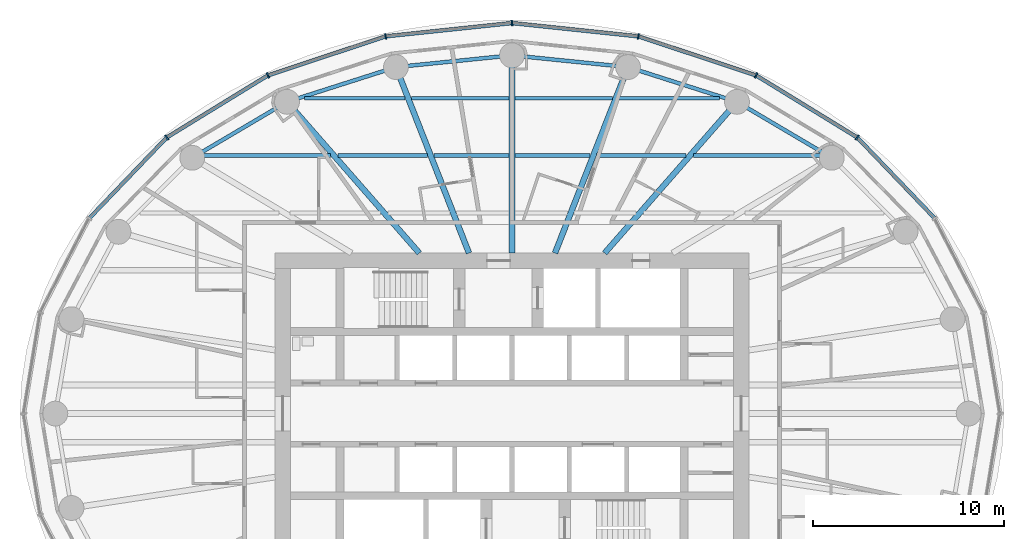
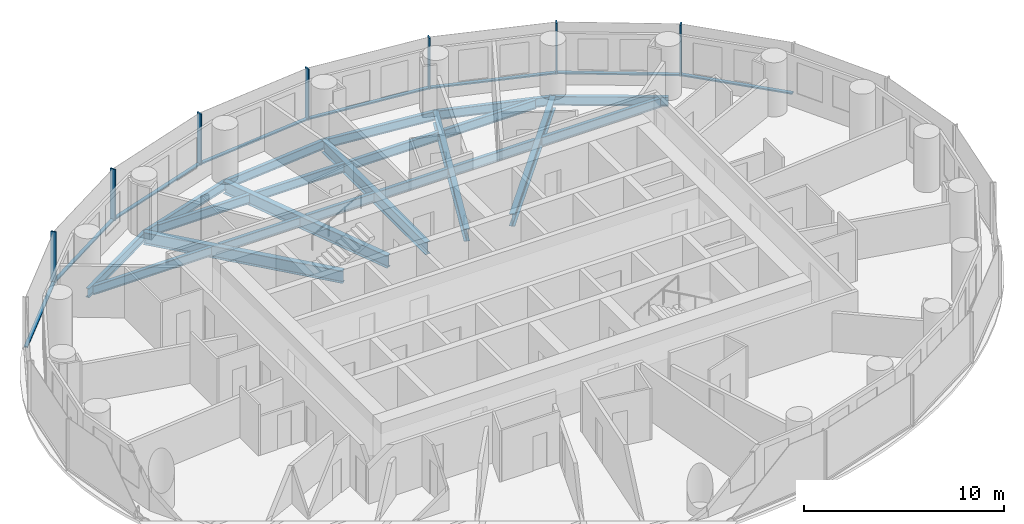
# One storey, part 4 of 14: 21 beams, 15 members, 2 elements without a shape of their own.
"""IFC4 building model written with IfcOpenShell, lengths in metres."""

from ifc_helpers import new_model, si_unit, direction, frame, origin, origin_2d, place, context, subcontext, project, spatial, rectangle, i_section, extrude, material, material_profile, profile_set, type_object, element, aggregate, save


model = new_model("IFC4")

# Units and contexts
model_context = context("Model", 3, precision=1e-05, world=origin(), true_north=direction((0.0, 1.0)))
body_context = subcontext(model_context, "Body", "Model", "MODEL_VIEW")
ifc_project = project(units=[si_unit("LENGTHUNIT", "METRE"), si_unit("AREAUNIT", "SQUARE_METRE"), si_unit("VOLUMEUNIT", "CUBIC_METRE"), si_unit("PLANEANGLEUNIT", "RADIAN"), si_unit("MASSUNIT", "GRAM", prefix="KILO")], contexts=[model_context])

# Site, building, storey
site_placement = place(None, origin())
site = spatial("IfcSite", under=ifc_project, at=site_placement, CompositionType="ELEMENT")
building_placement = place(site_placement, origin())
building = spatial("IfcBuilding", under=site, at=building_placement, Name="Hankou Lantern Tower", CompositionType="ELEMENT")
storey_placement = place(building_placement, frame((0.0, 0.0, 115.5)))
storey = spatial("IfcBuildingStorey", under=building, at=storey_placement, Name="L29", CompositionType="ELEMENT", Elevation=115.5)

# Beams
ifc_material_1 = material(Name="Steel Q355B", Category="steel")
ifc_material_profile_1 = material_profile(ifc_material_1, i_section(OverallWidth=0.199951171875, OverallDepth=0.550048828125, WebThickness=0.010009765625, FlangeThickness=0.01611328125, FilletRadius=0.012939453125, at=origin_2d()), Name="HN550x200x10x16")
ifc_profile_set_1 = profile_set([ifc_material_profile_1], Name="Steel Q355B")
beam_type_1 = type_object("IfcBeamType", Name="EB6 RING BEAM HN550x200x10x16", PredefinedType="SPANDREL", material=ifc_profile_set_1)
beam_1_placement = place(storey_placement, frame((16.73388671875, 13.38720703125, -0.455078125), z_axis=(-0.860988974188, 0.508623619513, 0.0), x_axis=(-0.508623619513, -0.860988974188, 0.0)))
element("IfcBeam", 1, at=beam_1_placement, inside=storey, type_object=beam_type_1, Name="Ring beam R04-R05 L29", PredefinedType="SPANDREL", context=body_context, shape_type="SweptSolid", body=[
    extrude(i_section(OverallWidth=0.199951171875, OverallDepth=0.550048828125, WebThickness=0.010009765625, FlangeThickness=0.01611328125, FilletRadius=0.012939453125, at=origin_2d()), origin(), (0.0, 0.0, 1.0), 5.759033203125),
])
beam_2_placement = place(storey_placement, frame((11.775390625, 16.31640625, -0.455078125), z_axis=(-0.952731090451, 0.303814860215, 0.0), x_axis=(-0.303814860215, -0.952731090451, 0.0)))
element("IfcBeam", 2, at=beam_2_placement, inside=storey, type_object=beam_type_1, Name="Ring beam R05-R06 L29", PredefinedType="SPANDREL", context=body_context, shape_type="SweptSolid", body=[
    extrude(i_section(OverallWidth=0.199951171875, OverallDepth=0.550048828125, WebThickness=0.010009765625, FlangeThickness=0.01611328125, FilletRadius=0.012939453125, at=origin_2d()), origin(), (0.0, 0.0, 1.0), 5.984375),
])
for number, where, z_axis, x_axis, name in (
    (3, (6.073974609375, 18.134521484375, -0.455078125), (-0.994905271594, 0.100814188259, 0.0), (-0.100814188259, -0.994905271594, 0.0), "Ring beam R06-R07 L29"),
    (4, (0.0, 18.75, -0.455078125), (-0.994905271594, -0.100814188259, 0.0), (0.100814188259, -0.994905271594, 0.0), "Ring beam R07-R08 L29"),
):
    element("IfcBeam", number, at=place(storey_placement, frame(where, z_axis=z_axis, x_axis=x_axis)), inside=storey, type_object=beam_type_1, Name=name, PredefinedType="SPANDREL", context=body_context, shape_type="SweptSolid", body=[
        extrude(i_section(OverallWidth=0.199951171875, OverallDepth=0.550048828125, WebThickness=0.010009765625, FlangeThickness=0.01611328125, FilletRadius=0.012939453125, at=origin_2d()), origin(), (0.0, 0.0, 1.0), 6.10498046875),
    ])
beam_3_placement = place(storey_placement, frame((-6.073974609375, 18.134521484375, -0.455078125), z_axis=(-0.952731090451, -0.303814860215, 0.0), x_axis=(0.303814860215, -0.952731090451, 0.0)))
element("IfcBeam", 5, at=beam_3_placement, inside=storey, type_object=beam_type_1, Name="Ring beam R08-R09 L29", PredefinedType="SPANDREL", context=body_context, shape_type="SweptSolid", body=[
    extrude(i_section(OverallWidth=0.199951171875, OverallDepth=0.550048828125, WebThickness=0.010009765625, FlangeThickness=0.01611328125, FilletRadius=0.012939453125, at=origin_2d()), origin(), (0.0, 0.0, 1.0), 5.984375),
])
beam_4_placement = place(storey_placement, frame((-11.775390625, 16.31640625, -0.455078125), z_axis=(-0.860988974188, -0.508623619513, 0.0), x_axis=(0.508623619513, -0.860988974188, 0.0)))
element("IfcBeam", 6, at=beam_4_placement, inside=storey, type_object=beam_type_1, Name="Ring beam R09-R10 L29", PredefinedType="SPANDREL", context=body_context, shape_type="SweptSolid", body=[
    extrude(i_section(OverallWidth=0.199951171875, OverallDepth=0.550048828125, WebThickness=0.010009765625, FlangeThickness=0.01611328125, FilletRadius=0.012939453125, at=origin_2d()), origin(), (0.0, 0.0, 1.0), 5.759033203125),
])

# Curtain wall, members
ifc_material_2 = material(Name="Glass, dark grey tinted laminated", Category="glass")
curtain_wall_type = type_object("IfcCurtainWallType", Name="CWB OUTER SKIN MID-RISE", PredefinedType="USERDEFINED", material=ifc_material_2)
curtain_wall_1_placement = place(storey_placement, origin())
curtain_wall_1 = element("IfcCurtainWall", 7, at=curtain_wall_1_placement, inside=storey, type_object=curtain_wall_type, Name="CWB L29 OS1", ObjectType="OUTER SKIN MID-RISE", PredefinedType="USERDEFINED")
ifc_material_3 = material(Name="Aluminium, black anodised", Category="aluminium")
ifc_material_profile_2 = material_profile(ifc_material_3, rectangle(XDim=0.080078125, YDim=0.300048828125, at=origin_2d()), Name="MU1 80X300")
ifc_profile_set_2 = profile_set([ifc_material_profile_2], Name="Aluminium, black anodised")
member_type_1 = type_object("IfcMemberType", Name="MU1 OUTER SKIN MULLION 80X300", PredefinedType="MULLION", material=ifc_profile_set_2)
member_1_placement = place(storey_placement, frame((18.066650390625, 14.453369140625, 0.0), z_axis=(0.0, 0.0, 1.0), x_axis=(-0.780868809444, 0.624695047553, 0.0)))
member_1 = element("IfcMember", 8, at=member_1_placement, type_object=member_type_1, Name="CWB mullion 4", PredefinedType="MULLION", context=body_context, shape_type="SweptSolid", body=[
    extrude(rectangle(XDim=0.080078125, YDim=0.300048828125, at=origin_2d()), origin(), (0.0, 0.0, 1.0), 3.1201171875),
])
member_2_placement = place(storey_placement, frame((12.77490234375, 17.70166015625, 0.0), z_axis=(0.0, 0.0, 1.0), x_axis=(-0.907841299004, 0.419313934686, 0.0)))
member_2 = element("IfcMember", 9, at=member_2_placement, type_object=member_type_1, Name="CWB mullion 5", PredefinedType="MULLION", context=body_context, shape_type="SweptSolid", body=[
    extrude(rectangle(XDim=0.080078125, YDim=0.300048828125, at=origin_2d()), origin(), (0.0, 0.0, 1.0), 3.1201171875),
])
member_3_placement = place(storey_placement, frame((6.61279296875, 19.743408203125, 0.0), z_axis=(0.0, 0.0, 1.0), x_axis=(-0.977787659625, 0.209597931016, 0.0)))
member_3 = element("IfcMember", 10, at=member_3_placement, type_object=member_type_1, Name="CWB mullion 6", PredefinedType="MULLION", context=body_context, shape_type="SweptSolid", body=[
    extrude(rectangle(XDim=0.080078125, YDim=0.300048828125, at=origin_2d()), origin(), (0.0, 0.0, 1.0), 3.1201171875),
])

curtain_wall_2_placement = place(storey_placement, origin())
curtain_wall_2 = element("IfcCurtainWall", 11, at=curtain_wall_2_placement, inside=storey, type_object=curtain_wall_type, Name="CWB L29 OS2", ObjectType="OUTER SKIN MID-RISE", PredefinedType="USERDEFINED")
member_4_placement = place(storey_placement, frame((0.0, 20.43994140625, 0.0), z_axis=(0.0, 0.0, 1.0), x_axis=(-0.994499359107, -0.104742659579, 0.0)))
member_4 = element("IfcMember", 12, at=member_4_placement, type_object=member_type_1, Name="CWB mullion 1", PredefinedType="MULLION", context=body_context, shape_type="SweptSolid", body=[
    extrude(rectangle(XDim=0.080078125, YDim=0.300048828125, at=origin_2d()), origin(), (0.0, 0.0, 1.0), 3.1201171875),
])
member_5_placement = place(storey_placement, frame((-6.61279296875, 19.743408203125, 0.0), z_axis=(0.0, 0.0, 1.0), x_axis=(-0.977787659625, -0.209597931016, 0.0)))
member_5 = element("IfcMember", 13, at=member_5_placement, type_object=member_type_1, Name="CWB mullion 2", PredefinedType="MULLION", context=body_context, shape_type="SweptSolid", body=[
    extrude(rectangle(XDim=0.080078125, YDim=0.300048828125, at=origin_2d()), origin(), (0.0, 0.0, 1.0), 3.1201171875),
])
member_6_placement = place(storey_placement, frame((-12.77490234375, 17.70166015625, 0.0), z_axis=(0.0, 0.0, 1.0), x_axis=(-0.907841299004, -0.419313934686, 0.0)))
member_6 = element("IfcMember", 14, at=member_6_placement, type_object=member_type_1, Name="CWB mullion 3", PredefinedType="MULLION", context=body_context, shape_type="SweptSolid", body=[
    extrude(rectangle(XDim=0.080078125, YDim=0.300048828125, at=origin_2d()), origin(), (0.0, 0.0, 1.0), 3.1201171875),
])
member_7_placement = place(storey_placement, frame((-18.066650390625, 14.453369140625, 0.0), z_axis=(0.0, 0.0, 1.0), x_axis=(-0.780868809444, -0.624695047553, 0.0)))
member_7 = element("IfcMember", 15, at=member_7_placement, type_object=member_type_1, Name="CWB mullion 4", PredefinedType="MULLION", context=body_context, shape_type="SweptSolid", body=[
    extrude(rectangle(XDim=0.080078125, YDim=0.300048828125, at=origin_2d()), origin(), (0.0, 0.0, 1.0), 3.1201171875),
])

# Beams
ifc_material_4 = material(Name="Steel Q355B", Category="steel")
ifc_material_profile_3 = material_profile(ifc_material_4, i_section(OverallWidth=0.300048828125, OverallDepth=0.75, WebThickness=0.012939453125, FlangeThickness=0.02392578125, FilletRadius=0.01806640625, at=origin_2d()), Name="HN750x300x13x24")
ifc_profile_set_3 = profile_set([ifc_material_profile_3], Name="Steel Q355B")
beam_type_2 = type_object("IfcBeamType", Name="RB10 RADIAL BEAM HN750x300x13x24", PredefinedType="BEAM", material=ifc_profile_set_3)
beam_5_placement = place(storey_placement, frame((4.849853515625, 8.39990234375, -0.554931640625), z_axis=(0.658429014446, 0.752642832249, 0.0), x_axis=(-0.752642832249, 0.658429014446, 0.0)))
element("IfcBeam", 16, at=beam_5_placement, inside=storey, type_object=beam_type_2, Name="Radial beam R05 L29", PredefinedType="BEAM", context=body_context, shape_type="SweptSolid", body=[
    extrude(i_section(OverallWidth=0.300048828125, OverallDepth=0.75, WebThickness=0.012939453125, FlangeThickness=0.02392578125, FilletRadius=0.01806640625, at=origin_2d()), origin(), (0.0, 0.0, 1.0), 10.518310546875),
])
beam_6_placement = place(storey_placement, frame((2.250732421875, 8.39990234375, -0.554931640625), z_axis=(0.365563535437, 0.930786388791, 0.0), x_axis=(-0.930786388791, 0.365563535437, 0.0)))
element("IfcBeam", 17, at=beam_6_placement, inside=storey, type_object=beam_type_2, Name="Radial beam R06 L29", PredefinedType="BEAM", context=body_context, shape_type="SweptSolid", body=[
    extrude(i_section(OverallWidth=0.300048828125, OverallDepth=0.75, WebThickness=0.012939453125, FlangeThickness=0.02392578125, FilletRadius=0.01806640625, at=origin_2d()), origin(), (0.0, 0.0, 1.0), 10.45849609375),
])
beam_7_placement = place(storey_placement, frame((0.0, 8.39990234375, -0.554931640625), z_axis=(0.0, 1.0, 0.0), x_axis=(-1.0, 0.0, 0.0)))
element("IfcBeam", 18, at=beam_7_placement, inside=storey, type_object=beam_type_2, Name="Radial beam R07 L29", PredefinedType="BEAM", context=body_context, shape_type="SweptSolid", body=[
    extrude(i_section(OverallWidth=0.300048828125, OverallDepth=0.75, WebThickness=0.012939453125, FlangeThickness=0.02392578125, FilletRadius=0.01806640625, at=origin_2d()), origin(), (0.0, 0.0, 1.0), 10.35009765625),
])
beam_8_placement = place(storey_placement, frame((-2.250732421875, 8.39990234375, -0.554931640625), z_axis=(-0.365563535437, 0.930786388791, 0.0), x_axis=(-0.930786388791, -0.365563535437, 0.0)))
element("IfcBeam", 19, at=beam_8_placement, inside=storey, type_object=beam_type_2, Name="Radial beam R08 L29", PredefinedType="BEAM", context=body_context, shape_type="SweptSolid", body=[
    extrude(i_section(OverallWidth=0.300048828125, OverallDepth=0.75, WebThickness=0.012939453125, FlangeThickness=0.02392578125, FilletRadius=0.01806640625, at=origin_2d()), origin(), (0.0, 0.0, 1.0), 10.45849609375),
])
beam_9_placement = place(storey_placement, frame((-4.849853515625, 8.39990234375, -0.554931640625), z_axis=(-0.658429014446, 0.752642832249, 0.0), x_axis=(-0.752642832249, -0.658429014446, 0.0)))
element("IfcBeam", 20, at=beam_9_placement, inside=storey, type_object=beam_type_2, Name="Radial beam R09 L29", PredefinedType="BEAM", context=body_context, shape_type="SweptSolid", body=[
    extrude(i_section(OverallWidth=0.300048828125, OverallDepth=0.75, WebThickness=0.012939453125, FlangeThickness=0.02392578125, FilletRadius=0.01806640625, at=origin_2d()), origin(), (0.0, 0.0, 1.0), 10.518310546875),
])
ifc_material_5 = material(Name="Steel Q355B", Category="steel")
ifc_material_profile_4 = material_profile(ifc_material_5, i_section(OverallWidth=0.199951171875, OverallDepth=0.550048828125, WebThickness=0.010009765625, FlangeThickness=0.01611328125, FilletRadius=0.012939453125, at=origin_2d()), Name="HN550x200x10x16")
ifc_profile_set_4 = profile_set([ifc_material_profile_4], Name="Steel Q355B")
beam_type_3 = type_object("IfcBeamType", Name="SB6 SECONDARY BEAM HN550x200x10x16", PredefinedType="JOIST", material=ifc_profile_set_4)
beam_10_placement = place(storey_placement, frame((-16.34619140625, 13.5, -0.455078125), z_axis=(1.0, 0.0, 0.0), x_axis=(0.0, 1.0, 0.0)))
element("IfcBeam", 21, at=beam_10_placement, inside=storey, type_object=beam_type_3, Name="Floor joist J043 L29", PredefinedType="JOIST", context=body_context, shape_type="SweptSolid", body=[
    extrude(i_section(OverallWidth=0.199951171875, OverallDepth=0.550048828125, WebThickness=0.010009765625, FlangeThickness=0.01611328125, FilletRadius=0.012939453125, at=origin_2d()), origin(), (0.0, 0.0, 1.0), 6.83544921875),
])
beam_11_placement = place(storey_placement, frame((-9.112060546875, 13.5, -0.455078125), z_axis=(1.0, 0.0, 0.0), x_axis=(0.0, 1.0, 0.0)))
element("IfcBeam", 22, at=beam_11_placement, inside=storey, type_object=beam_type_3, Name="Floor joist J044 L29", PredefinedType="JOIST", context=body_context, shape_type="SweptSolid", body=[
    extrude(i_section(OverallWidth=0.199951171875, OverallDepth=0.550048828125, WebThickness=0.010009765625, FlangeThickness=0.01611328125, FilletRadius=0.012939453125, at=origin_2d()), origin(), (0.0, 0.0, 1.0), 4.697021484375),
])
for number, where, z_axis, x_axis, name in (
    (23, (-4.092529296875, 13.5, -0.455078125), (1.0, 0.0, 0.0), (0.0, 1.0, 0.0), "Floor joist J045 L29"),
    (24, (0.14990234375, 13.5, -0.455078125), (1.0, 0.0, 0.0), (0.0, 1.0, 0.0), "Floor joist J046 L29"),
):
    element("IfcBeam", number, at=place(storey_placement, frame(where, z_axis=z_axis, x_axis=x_axis)), inside=storey, type_object=beam_type_3, Name=name, PredefinedType="JOIST", context=body_context, shape_type="SweptSolid", body=[
        extrude(i_section(OverallWidth=0.199951171875, OverallDepth=0.550048828125, WebThickness=0.010009765625, FlangeThickness=0.01611328125, FilletRadius=0.012939453125, at=origin_2d()), origin(), (0.0, 0.0, 1.0), 3.942626953125),
    ])
beam_12_placement = place(storey_placement, frame((4.4150390625, 13.5, -0.455078125), z_axis=(1.0, 0.0, 0.0), x_axis=(0.0, 1.0, 0.0)))
element("IfcBeam", 25, at=beam_12_placement, inside=storey, type_object=beam_type_3, Name="Floor joist J047 L29", PredefinedType="JOIST", context=body_context, shape_type="SweptSolid", body=[
    extrude(i_section(OverallWidth=0.199951171875, OverallDepth=0.550048828125, WebThickness=0.010009765625, FlangeThickness=0.01611328125, FilletRadius=0.012939453125, at=origin_2d()), origin(), (0.0, 0.0, 1.0), 4.697021484375),
])
beam_13_placement = place(storey_placement, frame((9.5107421875, 13.5, -0.455078125), z_axis=(1.0, 0.0, 0.0), x_axis=(0.0, 1.0, 0.0)))
element("IfcBeam", 26, at=beam_13_placement, inside=storey, type_object=beam_type_3, Name="Floor joist J048 L29", PredefinedType="JOIST", context=body_context, shape_type="SweptSolid", body=[
    extrude(i_section(OverallWidth=0.199951171875, OverallDepth=0.550048828125, WebThickness=0.010009765625, FlangeThickness=0.01611328125, FilletRadius=0.012939453125, at=origin_2d()), origin(), (0.0, 0.0, 1.0), 6.83544921875),
])
beam_14_placement = place(storey_placement, frame((-10.8701171875, 16.5, -0.455078125), z_axis=(1.0, 0.0, 0.0), x_axis=(0.0, 1.0, 0.0)))
element("IfcBeam", 27, at=beam_14_placement, inside=storey, type_object=beam_type_3, Name="Floor joist J049 L29", PredefinedType="JOIST", context=body_context, shape_type="SweptSolid", body=[
    extrude(i_section(OverallWidth=0.199951171875, OverallDepth=0.550048828125, WebThickness=0.010009765625, FlangeThickness=0.01611328125, FilletRadius=0.012939453125, at=origin_2d()), origin(), (0.0, 0.0, 1.0), 5.27685546875),
])
for number, where, z_axis, x_axis, name in (
    (28, (-5.270751953125, 16.5, -0.455078125), (1.0, 0.0, 0.0), (0.0, 1.0, 0.0), "Floor joist J050 L29"),
    (29, (0.14990234375, 16.5, -0.455078125), (1.0, 0.0, 0.0), (0.0, 1.0, 0.0), "Floor joist J051 L29"),
):
    element("IfcBeam", number, at=place(storey_placement, frame(where, z_axis=z_axis, x_axis=x_axis)), inside=storey, type_object=beam_type_3, Name=name, PredefinedType="JOIST", context=body_context, shape_type="SweptSolid", body=[
        extrude(i_section(OverallWidth=0.199951171875, OverallDepth=0.550048828125, WebThickness=0.010009765625, FlangeThickness=0.01611328125, FilletRadius=0.012939453125, at=origin_2d()), origin(), (0.0, 0.0, 1.0), 5.120849609375),
    ])
beam_15_placement = place(storey_placement, frame((5.59326171875, 16.5, -0.455078125), z_axis=(1.0, 0.0, 0.0), x_axis=(0.0, 1.0, 0.0)))
element("IfcBeam", 30, at=beam_15_placement, inside=storey, type_object=beam_type_3, Name="Floor joist J052 L29", PredefinedType="JOIST", context=body_context, shape_type="SweptSolid", body=[
    extrude(i_section(OverallWidth=0.199951171875, OverallDepth=0.550048828125, WebThickness=0.010009765625, FlangeThickness=0.01611328125, FilletRadius=0.012939453125, at=origin_2d()), origin(), (0.0, 0.0, 1.0), 5.27685546875),
])

# Member
ifc_material_6 = material(Name="Aluminium, black anodised", Category="aluminium")
ifc_material_profile_5 = material_profile(ifc_material_6, rectangle(XDim=0.199951171875, YDim=0.080078125, at=origin_2d()), Name="TR1 200X80")
ifc_profile_set_5 = profile_set([ifc_material_profile_5], Name="Aluminium, black anodised")
member_type_2 = type_object("IfcMemberType", Name="TR1 OUTER SKIN TRANSOM 200X80", PredefinedType="USERDEFINED", material=ifc_profile_set_5)
member_8_placement = place(storey_placement, frame((22.099365234375, 10.248779296875, 0.0400390625), z_axis=(-0.692226977748, 0.721679853729, 0.0), x_axis=(-0.721679853729, -0.692226977748, 0.0)))
member_8 = element("IfcMember", 31, at=member_8_placement, type_object=member_type_2, Name="CWB transom 3", ObjectType="TRANSOM", PredefinedType="USERDEFINED", context=body_context, shape_type="SweptSolid", body=[
    extrude(rectangle(XDim=0.199951171875, YDim=0.080078125, at=origin_2d()), origin(), (0.0, 0.0, 1.0), 5.785888671875),
])

member_9_placement = place(storey_placement, frame((18.032470703125, 14.47412109375, 0.0400390625), z_axis=(-0.852229492169, 0.523168130411, 0.0), x_axis=(-0.523168130411, -0.852229492169, 0.0)))
member_9 = element("IfcMember", 32, at=member_9_placement, type_object=member_type_2, Name="CWB transom 4", ObjectType="TRANSOM", PredefinedType="USERDEFINED", context=body_context, shape_type="SweptSolid", body=[
    extrude(rectangle(XDim=0.199951171875, YDim=0.080078125, at=origin_2d()), origin(), (0.0, 0.0, 1.0), 6.129150390625),
])

member_10_placement = place(storey_placement, frame((12.737060546875, 17.714111328125, 0.0400390625), z_axis=(-0.949237765745, 0.314559476225, 0.0), x_axis=(-0.314559476225, -0.949237765745, 0.0)))
member_10 = element("IfcMember", 33, at=member_10_placement, type_object=member_type_2, Name="CWB transom 5", ObjectType="TRANSOM", PredefinedType="USERDEFINED", context=body_context, shape_type="SweptSolid", body=[
    extrude(rectangle(XDim=0.199951171875, YDim=0.080078125, at=origin_2d()), origin(), (0.0, 0.0, 1.0), 6.41162109375),
])

member_11_placement = place(storey_placement, frame((6.572998046875, 19.747802734375, 0.0400390625), z_axis=(-0.994500972001, 0.10472734451, 0.0), x_axis=(-0.10472734451, -0.994500972001, 0.0)))
member_11 = element("IfcMember", 34, at=member_11_placement, type_object=member_type_2, Name="CWB transom 6", ObjectType="TRANSOM", PredefinedType="USERDEFINED", context=body_context, shape_type="SweptSolid", body=[
    extrude(rectangle(XDim=0.199951171875, YDim=0.080078125, at=origin_2d()), origin(), (0.0, 0.0, 1.0), 6.5693359375),
])

aggregate(curtain_wall_1, [member_1, member_2, member_3, member_8, member_9, member_10, member_11])

member_12_placement = place(storey_placement, frame((-0.039794921875, 20.435791015625, 0.0400390625), z_axis=(-0.994500972001, -0.10472734451, 0.0), x_axis=(0.10472734451, -0.994500972001, 0.0)))
member_12 = element("IfcMember", 35, at=member_12_placement, type_object=member_type_2, Name="CWB transom 1", ObjectType="TRANSOM", PredefinedType="USERDEFINED", context=body_context, shape_type="SweptSolid", body=[
    extrude(rectangle(XDim=0.199951171875, YDim=0.080078125, at=origin_2d()), origin(), (0.0, 0.0, 1.0), 6.5693359375),
])

member_13_placement = place(storey_placement, frame((-6.65087890625, 19.73095703125, 0.0400390625), z_axis=(-0.949237765745, -0.314559476225, 0.0), x_axis=(0.314559476225, -0.949237765745, 0.0)))
member_13 = element("IfcMember", 36, at=member_13_placement, type_object=member_type_2, Name="CWB transom 2", ObjectType="TRANSOM", PredefinedType="USERDEFINED", context=body_context, shape_type="SweptSolid", body=[
    extrude(rectangle(XDim=0.199951171875, YDim=0.080078125, at=origin_2d()), origin(), (0.0, 0.0, 1.0), 6.41162109375),
])

member_14_placement = place(storey_placement, frame((-12.80908203125, 17.6806640625, 0.0400390625), z_axis=(-0.852229492169, -0.523168130411, 0.0), x_axis=(0.523168130411, -0.852229492169, 0.0)))
member_14 = element("IfcMember", 37, at=member_14_placement, type_object=member_type_2, Name="CWB transom 3", ObjectType="TRANSOM", PredefinedType="USERDEFINED", context=body_context, shape_type="SweptSolid", body=[
    extrude(rectangle(XDim=0.199951171875, YDim=0.080078125, at=origin_2d()), origin(), (0.0, 0.0, 1.0), 6.129150390625),
])

member_15_placement = place(storey_placement, frame((-18.09423828125, 14.42431640625, 0.0400390625), z_axis=(-0.692226977748, -0.721679853729, 0.0), x_axis=(0.721679853729, -0.692226977748, 0.0)))
member_15 = element("IfcMember", 38, at=member_15_placement, type_object=member_type_2, Name="CWB transom 4", ObjectType="TRANSOM", PredefinedType="USERDEFINED", context=body_context, shape_type="SweptSolid", body=[
    extrude(rectangle(XDim=0.199951171875, YDim=0.080078125, at=origin_2d()), origin(), (0.0, 0.0, 1.0), 5.785888671875),
])

aggregate(curtain_wall_2, [member_4, member_5, member_6, member_7, member_12, member_13, member_14, member_15])

save(model, "model.ifc")
